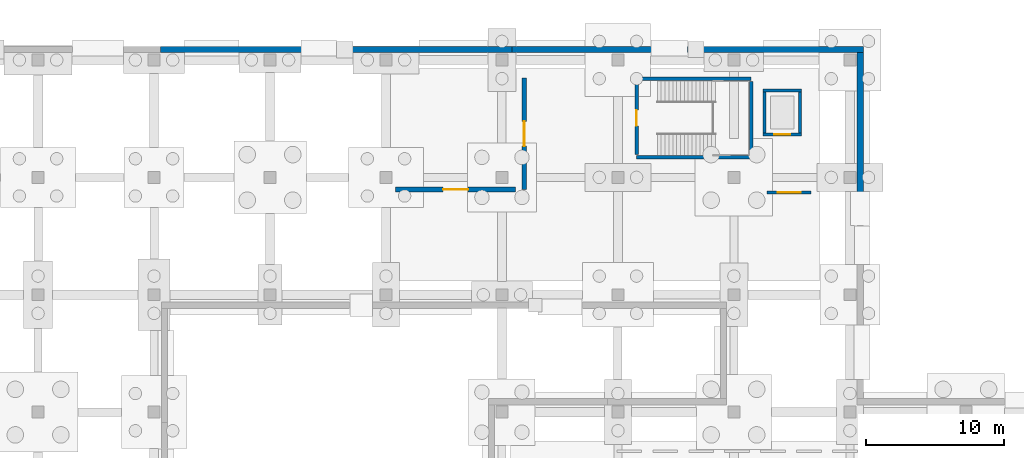
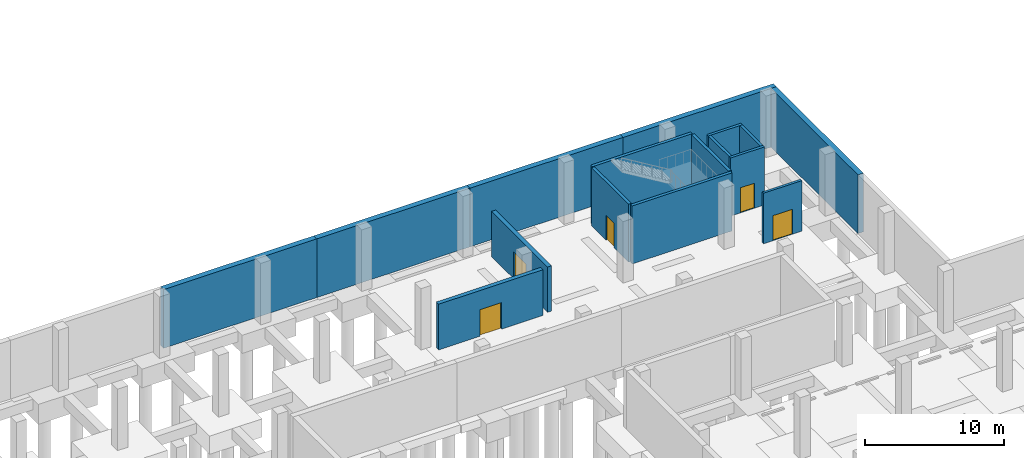
# One storey, part 29 of 34: 16 walls, 5 doors, 5 openings.
"""IFC4 building model written with IfcOpenShell, lengths in metres."""

from ifc_helpers import new_model, si_unit, direction, frame, frame_2d, origin, place, context, subcontext, project, spatial, rectangle, extrude, material, layer, layer_set, type_object, element, fill, save


model = new_model("IFC4")

# Units and contexts
model_context = context("Model", 3, precision=1e-05, world=origin(), true_north=direction((0.0, 1.0)))
body_context = subcontext(model_context, "Body", "Model", "MODEL_VIEW")
ifc_project = project(units=[si_unit("LENGTHUNIT", "METRE"), si_unit("AREAUNIT", "SQUARE_METRE"), si_unit("VOLUMEUNIT", "CUBIC_METRE"), si_unit("PLANEANGLEUNIT", "RADIAN"), si_unit("MASSUNIT", "GRAM", prefix="KILO")], contexts=[model_context])

# Site, building, storey
site_placement = place(None, origin())
site = spatial("IfcSite", under=ifc_project, at=site_placement, CompositionType="ELEMENT")
building_placement = place(site_placement, origin())
building = spatial("IfcBuilding", under=site, at=building_placement, Name="Solvento Point Concert Hall", CompositionType="ELEMENT")
storey_placement = place(building_placement, frame((0.0, 0.0, -5.39990234375)))
storey = spatial("IfcBuildingStorey", under=building, at=storey_placement, Name="B01", CompositionType="ELEMENT", Elevation=-5.39990234375)

# Wall, opening, door
ifc_material_1 = material(Name="Acoustic Double-Stud Gypsum Partition")
ifc_layer_1 = layer(ifc_material_1, 0.2080078125)
ifc_layer_set_1 = layer_set([ifc_layer_1], Name="Acoustic Double-Stud Gypsum Partition")
wall_type_1 = type_object("IfcWallType", Name="AcousticPartition_208", PredefinedType="PARTITIONING", material=ifc_layer_set_1)
wall_1_placement = place(storey_placement, frame((68.39990234375, 126.39990234375, 0.0), z_axis=(0.0, 0.0, 1.0), x_axis=(1.0, 0.0, 0.0)))
wall_1 = element("IfcWall", 1, at=wall_1_placement, inside=storey, type_object=wall_type_1, Name="Lift lobby partition LP-03 B01", PredefinedType="PARTITIONING", context=body_context, shape_type="SweptSolid", body=[
    extrude(rectangle(XDim=3.2001953125, YDim=0.2080078125, at=frame_2d((1.60009765625, 0.0))), origin(), (0.0, 0.0, 1.0), 4.44091796875),
])
opening_1_placement = place(wall_1_placement, frame((0.77490234375, 0.0, 0.0)))
opening_1 = element("IfcOpeningElement", 2, at=opening_1_placement, cuts=wall_1, Name="Opening D-FL1", PredefinedType="OPENING", context=body_context, shape_type="SweptSolid", body=[
    extrude(rectangle(XDim=1.64990234375, YDim=2.199951171875, at=frame_2d((0.824951171875, 1.10009765625))), frame((0.0, 0.114013671875, 0.0), z_axis=(0.0, -1.0, 0.0), x_axis=(1.0, 0.0, 0.0)), (0.0, 0.0, 1.0), 0.22802734375),
])
ifc_material_2 = material(Name="Hollow Metal Acoustic Fire Door")
door_type_1 = type_object("IfcDoorType", Name="FireLobbyDoor_1600", OperationType="DOUBLE_DOOR_SINGLE_SWING", PredefinedType="DOOR", material=ifc_material_2)
door_1_placement = place(opening_1_placement, origin())
door_1 = element("IfcDoor", 3, at=door_1_placement, inside=storey, type_object=door_type_1, Name="Lift lobby door LP-03 B01", OperationType="DOUBLE_DOOR_SINGLE_SWING", OverallHeight=2.199951171875, OverallWidth=1.64990234375, PredefinedType="DOOR", context=body_context, shape_type="SweptSolid", body=[
    extrude(rectangle(XDim=1.64990234375, YDim=2.199951171875, at=frame_2d((0.824951171875, 1.10009765625))), frame((0.0, 0.02490234375, 0.0), z_axis=(0.0, -1.0, 0.0), x_axis=(1.0, 0.0, 0.0)), (0.0, 0.0, 1.0), 0.050048828125),
])
fill(opening_1, door_1)

ifc_material_3 = material(Name="Acoustic Double-Stud Gypsum Partition")
ifc_layer_2 = layer(ifc_material_3, 0.340087890625)
ifc_layer_set_2 = layer_set([ifc_layer_2], Name="Acoustic Double-Stud Gypsum Partition")
wall_type_2 = type_object("IfcWallType", Name="AcousticPartition_340", PredefinedType="PARTITIONING", material=ifc_layer_set_2)
wall_2_placement = place(storey_placement, frame((50.179931640625, 126.6201171875, 0.0), z_axis=(0.0, 0.0, 1.0), x_axis=(-1.0, 0.0, 0.0)))
wall_2 = element("IfcWall", 4, at=wall_2_placement, inside=storey, type_object=wall_type_2, Name="Interior acoustic partition PW-24 B01", PredefinedType="PARTITIONING", context=body_context, shape_type="SweptSolid", body=[
    extrude(rectangle(XDim=8.679931640625, YDim=0.340087890625, at=frame_2d((4.33984375, 0.0))), origin(), (0.0, 0.0, 1.0), 4.02001953125),
])
opening_2_placement = place(wall_2_placement, frame((3.43994140625, 0.0, 0.0)))
opening_2 = element("IfcOpeningElement", 5, at=opening_2_placement, cuts=wall_2, Name="Opening DR-98", PredefinedType="OPENING", context=body_context, shape_type="SweptSolid", body=[
    extrude(rectangle(XDim=1.800048828125, YDim=2.340087890625, at=frame_2d((0.89990234375, 1.169921875))), frame((0.0, 0.179931640625, 0.0), z_axis=(0.0, -1.0, 0.0), x_axis=(1.0, 0.0, 0.0)), (0.0, 0.0, 1.0), 0.360107421875),
])
ifc_material_4 = material(Name="Brazilian Hardwood Acoustic Door", Category="wood")
door_type_2 = type_object("IfcDoorType", Name="IntDoor_SubstationPlant", OperationType="NOTDEFINED", PredefinedType="DOOR", material=ifc_material_4)
door_2_placement = place(opening_2_placement, origin())
door_2 = element("IfcDoor", 6, at=door_2_placement, inside=storey, type_object=door_type_2, Name="Interior door DR-98 B01", OperationType="SINGLE_SWING_RIGHT", OverallHeight=2.340087890625, OverallWidth=1.800048828125, PredefinedType="DOOR", context=body_context, shape_type="SweptSolid", body=[
    extrude(rectangle(XDim=1.800048828125, YDim=2.340087890625, at=frame_2d((0.89990234375, 1.169921875))), frame((0.0, 0.02490234375, 0.0), z_axis=(0.0, -1.0, 0.0), x_axis=(1.0, 0.0, 0.0)), (0.0, 0.0, 1.0), 0.050048828125),
])
fill(opening_2, door_2)

wall_3_placement = place(storey_placement, frame((50.820068359375, 126.6201171875, 0.0), z_axis=(0.0, 0.0, 1.0), x_axis=(0.0, 1.0, 0.0)))
wall_3 = element("IfcWall", 7, at=wall_3_placement, inside=storey, type_object=wall_type_2, Name="Interior acoustic partition PW-24 B01", PredefinedType="PARTITIONING", context=body_context, shape_type="SweptSolid", body=[
    extrude(rectangle(XDim=8.079833984375, YDim=0.340087890625, at=frame_2d((4.0400390625, 0.0))), origin(), (0.0, 0.0, 1.0), 3.973876953125),
])
opening_3_placement = place(wall_3_placement, frame((3.139892578125, 0.0, 0.0)))
opening_3 = element("IfcOpeningElement", 8, at=opening_3_placement, cuts=wall_3, Name="Opening DR-98", PredefinedType="OPENING", context=body_context, shape_type="SweptSolid", body=[
    extrude(rectangle(XDim=1.800048828125, YDim=2.340087890625, at=frame_2d((0.89990234375, 1.169921875))), frame((0.0, 0.179931640625, 0.0), z_axis=(0.0, -1.0, 0.0), x_axis=(1.0, 0.0, 0.0)), (0.0, 0.0, 1.0), 0.360107421875),
])
door_3_placement = place(opening_3_placement, origin())
door_3 = element("IfcDoor", 9, at=door_3_placement, inside=storey, type_object=door_type_2, Name="Interior door DR-98 B01", OperationType="SINGLE_SWING_LEFT", OverallHeight=2.340087890625, OverallWidth=1.800048828125, PredefinedType="DOOR", context=body_context, shape_type="SweptSolid", body=[
    extrude(rectangle(XDim=1.800048828125, YDim=2.340087890625, at=frame_2d((0.89990234375, 1.169921875))), frame((0.0, 0.02490234375, 0.0), z_axis=(0.0, -1.0, 0.0), x_axis=(1.0, 0.0, 0.0)), (0.0, 0.0, 1.0), 0.050048828125),
])
fill(opening_3, door_3)

# Walls
ifc_material_5 = material(Name="Concrete C40/50", Category="concrete")
ifc_layer_3 = layer(ifc_material_5, 0.300048828125)
ifc_layer_set_3 = layer_set([ifc_layer_3], Name="Concrete C40/50")
wall_type_3 = type_object("IfcWallType", Name="CoreShearWall_300", PredefinedType="SHEAR", material=ifc_layer_set_3)
for number, where, z_axis, x_axis, name in (
    (10, (67.25, 128.949951171875, 0.0), (0.0, 0.0, 1.0), (-1.0, 0.0, 0.0), "Stair core shear wall W-SH1 ST-04 B01"),
    (11, (58.949951171875, 134.64990234375, 0.0), (0.0, 0.0, 1.0), (1.0, 0.0, 0.0), "Stair core shear wall W-SH1 ST-04 B01"),
):
    element("IfcWall", number, at=place(storey_placement, frame(where, z_axis=z_axis, x_axis=x_axis)), inside=storey, type_object=wall_type_3, Name=name, PredefinedType="SHEAR", context=body_context, shape_type="SweptSolid", body=[
        extrude(rectangle(XDim=8.300048828125, YDim=0.25, at=frame_2d((4.14990234375, 0.0))), origin(), (0.0, 0.0, 1.0), 5.099853515625),
    ])

# Wall, opening, door
wall_4_placement = place(storey_placement, frame((58.949951171875, 129.14990234375, 0.0), z_axis=(0.0, 0.0, 1.0), x_axis=(0.0, 1.0, 0.0)))
wall_4 = element("IfcWall", 12, at=wall_4_placement, inside=storey, type_object=wall_type_3, Name="Stair core shear wall W-SH1 ST-04 B01", PredefinedType="SHEAR", context=body_context, shape_type="SweptSolid", body=[
    extrude(rectangle(XDim=5.300048828125, YDim=0.25, at=frame_2d((2.64990234375, 0.0))), origin(), (0.0, 0.0, 1.0), 5.099853515625),
])
opening_4_placement = place(wall_4_placement, frame((2.074951171875, 0.0, 0.0)))
opening_4 = element("IfcOpeningElement", 13, at=opening_4_placement, cuts=wall_4, Name="Opening D-ST1", PredefinedType="OPENING", context=body_context, shape_type="SweptSolid", body=[
    extrude(rectangle(XDim=1.14990234375, YDim=2.179931640625, at=frame_2d((0.574951171875, 1.08984375))), frame((0.0, 0.135009765625, 0.0), z_axis=(0.0, -1.0, 0.0), x_axis=(1.0, 0.0, 0.0)), (0.0, 0.0, 1.0), 0.27001953125),
])
ifc_material_6 = material(Name="Hollow Metal Acoustic Fire Door")
door_type_3 = type_object("IfcDoorType", Name="StairFireDoor_1150", OperationType="NOTDEFINED", PredefinedType="DOOR", material=ifc_material_6)
door_4_placement = place(opening_4_placement, origin())
door_4 = element("IfcDoor", 14, at=door_4_placement, inside=storey, type_object=door_type_3, Name="Protected exit stair door ST-04 B01", OperationType="SINGLE_SWING_LEFT", OverallHeight=2.179931640625, OverallWidth=1.14990234375, PredefinedType="DOOR", context=body_context, shape_type="SweptSolid", body=[
    extrude(rectangle(XDim=1.14990234375, YDim=2.179931640625, at=frame_2d((0.574951171875, 1.08984375))), frame((0.0, 0.02490234375, 0.0), z_axis=(0.0, -1.0, 0.0), x_axis=(1.0, 0.0, 0.0)), (0.0, 0.0, 1.0), 0.050048828125),
])
fill(opening_4, door_4)

# Wall
wall_5_placement = place(storey_placement, frame((67.25, 134.449951171875, 0.0), z_axis=(0.0, 0.0, 1.0), x_axis=(0.0, -1.0, 0.0)))
element("IfcWall", 15, at=wall_5_placement, inside=storey, type_object=wall_type_3, Name="Stair core shear wall W-SH1 ST-04 B01", PredefinedType="SHEAR", context=body_context, shape_type="SweptSolid", body=[
    extrude(rectangle(XDim=5.300048828125, YDim=0.25, at=frame_2d((2.64990234375, 0.0))), origin(), (0.0, 0.0, 1.0), 5.099853515625),
])

# Wall, opening, door
wall_6_placement = place(storey_placement, frame((68.090087890625, 130.60009765625, 0.0), z_axis=(0.0, 0.0, 1.0), x_axis=(1.0, 0.0, 0.0)))
wall_6 = element("IfcWall", 16, at=wall_6_placement, inside=storey, type_object=wall_type_3, Name="Elevator shaft shear wall W-SH1 LP-03 B01", PredefinedType="SHEAR", context=body_context, shape_type="SweptSolid", body=[
    extrude(rectangle(XDim=2.81982421875, YDim=0.219970703125, at=frame_2d((1.409912109375, 0.0))), origin(), (0.0, 0.0, 1.0), 5.099853515625),
])
opening_5_placement = place(wall_6_placement, frame((0.8349609375, 0.0, 0.0)))
opening_5 = element("IfcOpeningElement", 17, at=opening_5_placement, cuts=wall_6, Name="Opening LD-02", PredefinedType="OPENING", context=body_context, shape_type="SweptSolid", body=[
    extrude(rectangle(XDim=1.14990234375, YDim=2.199951171875, at=frame_2d((0.574951171875, 1.10009765625))), frame((0.0, 0.119873046875, 0.0), z_axis=(0.0, -1.0, 0.0), x_axis=(1.0, 0.0, 0.0)), (0.0, 0.0, 1.0), 0.239990234375),
])
ifc_material_7 = material(Name="Hollow Metal Acoustic Fire Door")
door_type_4 = type_object("IfcDoorType", Name="LiftLandingDoor_Pass", OperationType="SLIDING_TO_LEFT", PredefinedType="DOOR", material=ifc_material_7)
door_5_placement = place(opening_5_placement, origin())
door_5 = element("IfcDoor", 18, at=door_5_placement, inside=storey, type_object=door_type_4, Name="Elevator landing door LP-03 B01", OperationType="SLIDING_TO_LEFT", OverallHeight=2.199951171875, OverallWidth=1.14990234375, PredefinedType="DOOR", context=body_context, shape_type="SweptSolid", body=[
    extrude(rectangle(XDim=1.14990234375, YDim=2.199951171875, at=frame_2d((0.574951171875, 1.10009765625))), frame((0.0, 0.02490234375, 0.0), z_axis=(0.0, -1.0, 0.0), x_axis=(1.0, 0.0, 0.0)), (0.0, 0.0, 1.0), 0.050048828125),
])
fill(opening_5, door_5)

# Walls
wall_7_placement = place(storey_placement, frame((68.090087890625, 133.800048828125, 0.0), z_axis=(0.0, 0.0, 1.0), x_axis=(1.0, 0.0, 0.0)))
element("IfcWall", 19, at=wall_7_placement, inside=storey, type_object=wall_type_3, Name="Elevator shaft shear wall W-SH1 LP-03 B01", PredefinedType="SHEAR", context=body_context, shape_type="SweptSolid", body=[
    extrude(rectangle(XDim=2.81982421875, YDim=0.219970703125, at=frame_2d((1.409912109375, 0.0))), origin(), (0.0, 0.0, 1.0), 5.099853515625),
])
for number, where, z_axis, x_axis, name in (
    (20, (68.199951171875, 130.7099609375, 0.0), (0.0, 0.0, 1.0), (0.0, 1.0, 0.0), "Elevator shaft shear wall W-SH1 LP-03 B01"),
    (21, (70.800048828125, 130.7099609375, 0.0), (0.0, 0.0, 1.0), (0.0, 1.0, 0.0), "Elevator shaft shear wall W-SH1 LP-03 B01"),
):
    element("IfcWall", number, at=place(storey_placement, frame(where, z_axis=z_axis, x_axis=x_axis)), inside=storey, type_object=wall_type_3, Name=name, PredefinedType="SHEAR", context=body_context, shape_type="SweptSolid", body=[
        extrude(rectangle(XDim=2.97998046875, YDim=0.219970703125, at=frame_2d((1.489990234375, 0.0))), origin(), (0.0, 0.0, 1.0), 5.099853515625),
    ])
ifc_material_8 = material(Name="Concrete C35/45", Category="concrete")
ifc_layer_4 = layer(ifc_material_8, 0.449951171875)
ifc_layer_set_4 = layer_set([ifc_layer_4], Name="Concrete C35/45")
wall_type_4 = type_object("IfcWallType", Name="RetainingWall_450", PredefinedType="USERDEFINED", material=ifc_layer_set_4)
wall_8_placement = place(storey_placement, frame((24.473388671875, 136.7548828125, 0.0), z_axis=(0.0, 0.0, 1.0), x_axis=(1.0, 0.0, 0.0)))
element("IfcWall", 22, at=wall_8_placement, inside=storey, type_object=wall_type_4, Name="Headland plinth retaining wall RW-01", ObjectType="RETAINING WALL", PredefinedType="USERDEFINED", context=body_context, shape_type="SweptSolid", body=[
    extrude(rectangle(XDim=12.7265625, YDim=0.449951171875, at=frame_2d((6.36328125, 0.0))), origin(), (0.0, 0.0, 1.0), 5.15478515625),
])
wall_9_placement = place(storey_placement, frame((37.199951171875, 136.7548828125, 0.0), z_axis=(0.0, 0.0, 1.0), x_axis=(1.0, 0.0, 0.0)))
element("IfcWall", 23, at=wall_9_placement, inside=storey, type_object=wall_type_4, Name="Headland plinth retaining wall RW-01", ObjectType="RETAINING WALL", PredefinedType="USERDEFINED", context=body_context, shape_type="SweptSolid", body=[
    extrude(rectangle(XDim=12.726806640625, YDim=0.449951171875, at=frame_2d((6.36328125, 0.0))), origin(), (0.0, 0.0, 1.0), 5.15478515625),
])
for number, where, z_axis, x_axis, name in (
    (24, (49.9267578125, 136.7548828125, 0.0), (0.0, 0.0, 1.0), (1.0, 0.0, 0.0), "Headland plinth retaining wall RW-01"),
    (25, (62.6533203125, 136.7548828125, 0.0), (0.0, 0.0, 1.0), (1.0, 0.0, 0.0), "Headland plinth retaining wall RW-01"),
):
    element("IfcWall", number, at=place(storey_placement, frame(where, z_axis=z_axis, x_axis=x_axis)), inside=storey, type_object=wall_type_4, Name=name, ObjectType="RETAINING WALL", PredefinedType="USERDEFINED", context=body_context, shape_type="SweptSolid", body=[
        extrude(rectangle(XDim=12.7265625, YDim=0.449951171875, at=frame_2d((6.36328125, 0.0))), origin(), (0.0, 0.0, 1.0), 5.15478515625),
    ])
wall_10_placement = place(storey_placement, frame((75.155029296875, 136.530029296875, 0.0), z_axis=(0.0, 0.0, 1.0), x_axis=(0.0, -1.0, 0.0)))
element("IfcWall", 26, at=wall_10_placement, inside=storey, type_object=wall_type_4, Name="Headland plinth retaining wall RW-01", ObjectType="RETAINING WALL", PredefinedType="USERDEFINED", context=body_context, shape_type="SweptSolid", body=[
    extrude(rectangle(XDim=12.525146484375, YDim=0.449951171875, at=frame_2d((6.2626953125, 0.0))), origin(), (0.0, 0.0, 1.0), 5.15478515625),
])

save(model, "model.ifc")
